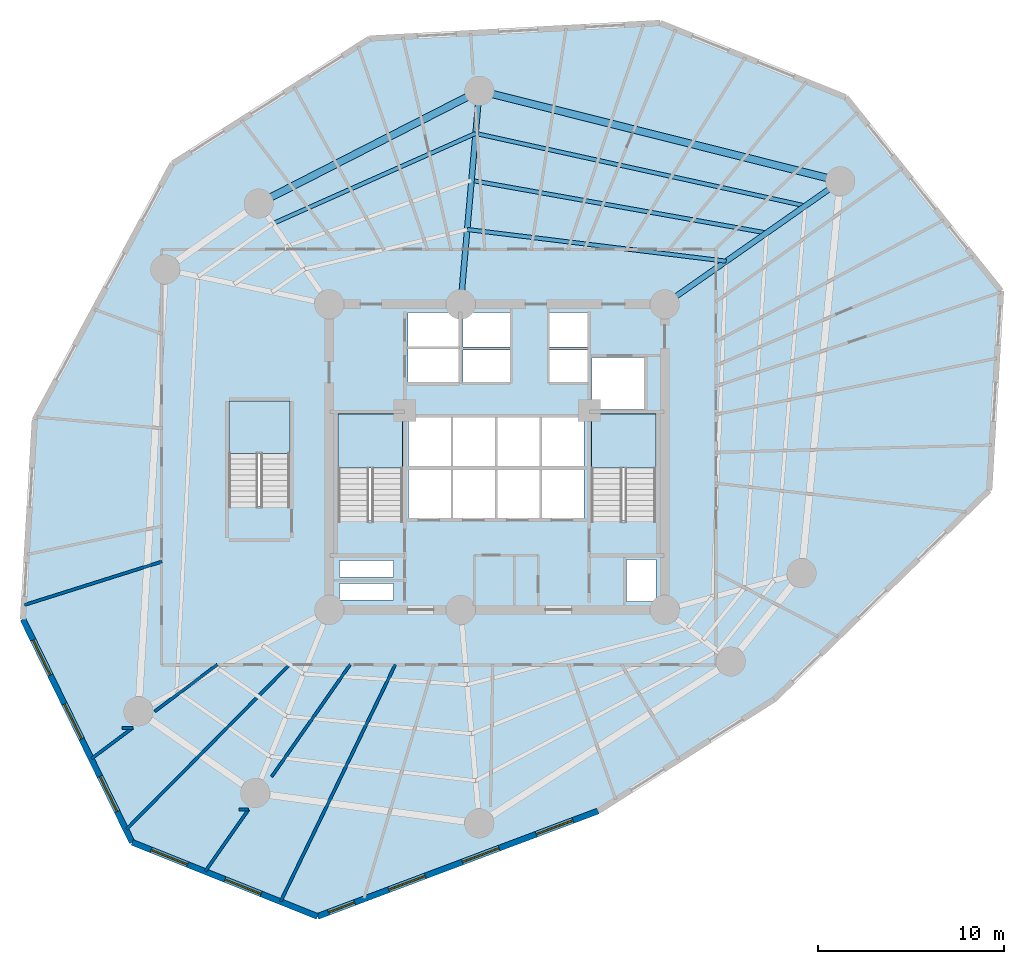
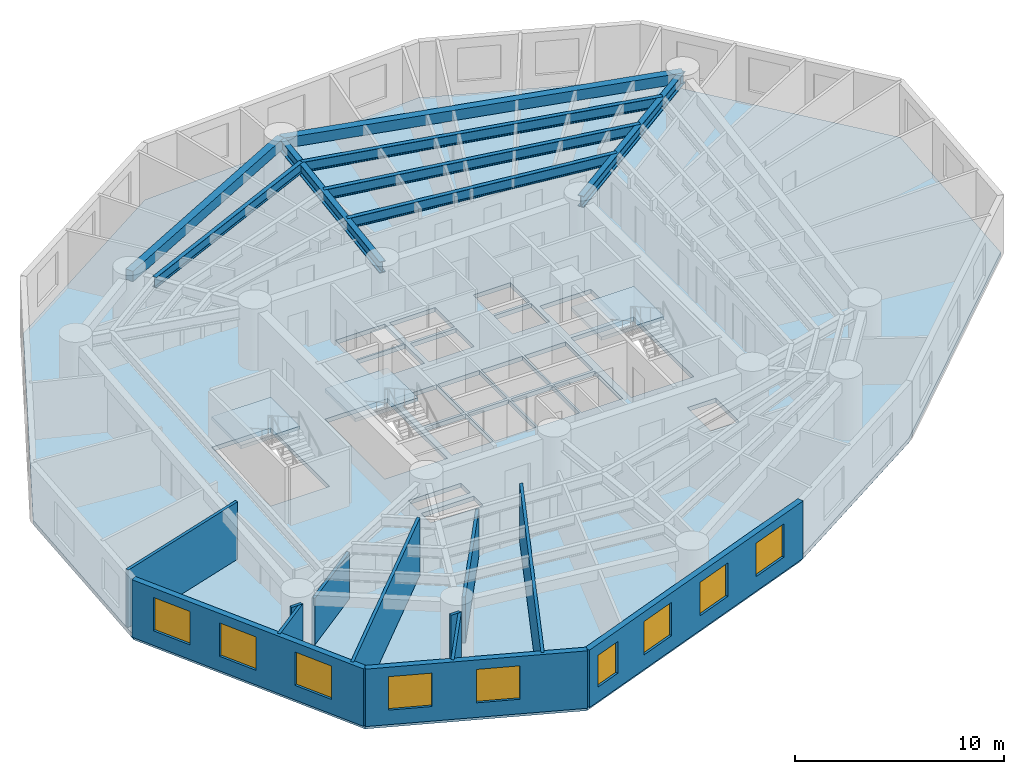
# One storey, part 2 of 8: 12 walls, 9 windows, 8 beams, 4 slabs, 9 openings, 3 elements without a shape of their own.
"""IFC4 building model written with IfcOpenShell, lengths in metres."""

from ifc_helpers import new_model, si_unit, direction, frame, frame_2d, origin, origin_with_axes, origin_2d, place, context, subcontext, project, spatial, polyline, rectangle, i_section, outline, extrude, source, transform, mapped, material, layer, layer_set, material_profile, profile_set, type_object, element, fill, aggregate, save


model = new_model("IFC4")

# Units and contexts
model_context = context("Model", 3, precision=1e-05, world=origin(), true_north=direction((0.0, 1.0)))
body_context = subcontext(model_context, "Body", "Model", "MODEL_VIEW")
ifc_project = project(units=[si_unit("LENGTHUNIT", "METRE"), si_unit("AREAUNIT", "SQUARE_METRE"), si_unit("VOLUMEUNIT", "CUBIC_METRE"), si_unit("PLANEANGLEUNIT", "RADIAN"), si_unit("MASSUNIT", "GRAM", prefix="KILO")], contexts=[model_context])

# Site, building, storey
site_placement = place(None, origin())
site = spatial("IfcSite", under=ifc_project, at=site_placement, CompositionType="ELEMENT")
building_placement = place(site_placement, origin())
building = spatial("IfcBuilding", under=site, at=building_placement, Name="Karkom Vertical University and Central Library", CompositionType="ELEMENT")
storey_placement = place(building_placement, frame((0.0, 0.0, 37.300048828125)))
storey = spatial("IfcBuildingStorey", under=building, at=storey_placement, Name="L09", CompositionType="ELEMENT", Elevation=37.300048828125)

# Beams
ifc_material_1 = material(Name="Steel S355", Category="steel")
ifc_material_profile_1 = material_profile(ifc_material_1, i_section(OverallWidth=0.300048828125, OverallDepth=0.64990234375, WebThickness=0.01611328125, FlangeThickness=0.031005859375, FilletRadius=0.027099609375, at=origin_2d()), Name="HE 650 B")
ifc_profile_set_1 = profile_set([ifc_material_profile_1], Name="Steel S355")
beam_type_1 = type_object("IfcBeamType", Name="STR-BM-SB-HE650", PredefinedType="USERDEFINED", material=ifc_profile_set_1)
shared_shape_1 = source(origin_with_axes(), body_context, "Body", "SweptSolid", [
    extrude(i_section(OverallWidth=0.300048828125, OverallDepth=0.64990234375, WebThickness=0.01611328125, FlangeThickness=0.031005859375, FilletRadius=0.027099609375, at=origin_2d()), origin(), (0.0, 0.0, 1.0), 11.49951171875),
])
beam_1_placement = place(storey_placement, frame((37.5, 34.699951171875, 3.02490234375), z_axis=(0.81915012564, 0.573579176457, 0.0), x_axis=(-0.573579176457, 0.81915012564, 0.0)))
element("IfcBeam", 1, at=beam_1_placement, inside=storey, type_object=beam_type_1, Name="Level 09 Radial Frame Girder 02", ObjectType="GIRDER", PredefinedType="USERDEFINED", context=body_context, shape_type="MappedRepresentation", body=[
    mapped(shared_shape_1, transform((0.0, 0.0, 0.0), scale=1.0)),
])
shared_shape_2 = source(origin_with_axes(), body_context, "Body", "SweptSolid", [
    extrude(i_section(OverallWidth=0.300048828125, OverallDepth=0.64990234375, WebThickness=0.01611328125, FlangeThickness=0.031005859375, FilletRadius=0.027099609375, at=origin_2d()), origin(), (0.0, 0.0, 1.0), 11.499755859375),
])
beam_2_placement = place(storey_placement, frame((26.550048828125, 34.699951171875, 3.02490234375), z_axis=(0.087127973109, 0.99619712723, 0.0), x_axis=(-0.99619712723, 0.087127973109, 0.0)))
element("IfcBeam", 2, at=beam_2_placement, inside=storey, type_object=beam_type_1, Name="Level 09 Radial Frame Girder 03", ObjectType="GIRDER", PredefinedType="USERDEFINED", context=body_context, shape_type="MappedRepresentation", body=[
    mapped(shared_shape_2, transform((0.0, 0.0, 0.0), scale=1.0)),
])
ifc_material_2 = material(Name="Precast concrete C45/55", Category="concrete")
ifc_material_profile_2 = material_profile(ifc_material_2, rectangle(XDim=0.39990234375, YDim=0.60009765625, at=origin_2d()), Name="SPB-400x600")
ifc_profile_set_2 = profile_set([ifc_material_profile_2], Name="Precast concrete C45/55")
beam_type_2 = type_object("IfcBeamType", Name="STR-BM-SP-1", PredefinedType="SPANDREL", material=ifc_profile_set_2)
shared_shape_3 = source(origin_with_axes(), body_context, "Body", "SweptSolid", [
    extrude(rectangle(XDim=0.39990234375, YDim=0.60009765625, at=origin_2d()), origin(), (0.0, 0.0, 1.0), 19.968505859375),
])
beam_3_placement = place(storey_placement, frame((46.919921875, 41.2958984375, 3.050048828125), z_axis=(-0.969928522391, 0.243389937039, 0.0), x_axis=(-0.243389937039, -0.969928522391, 0.0)))
element("IfcBeam", 3, at=beam_3_placement, inside=storey, type_object=beam_type_2, Name="Level 09 Perimeter Spandrel Beam 02", PredefinedType="SPANDREL", context=body_context, shape_type="MappedRepresentation", body=[
    mapped(shared_shape_3, transform((0.0, 0.0, 0.0), scale=1.0)),
])
shared_shape_4 = source(origin_with_axes(), body_context, "Body", "SweptSolid", [
    extrude(rectangle(XDim=0.39990234375, YDim=0.60009765625, at=origin_2d()), origin(), (0.0, 0.0, 1.0), 13.29443359375),
])
beam_4_placement = place(storey_placement, frame((27.552001953125, 46.156005859375, 3.050048828125), z_axis=(-0.890447746793, -0.455085497716, 0.0), x_axis=(0.455085497716, -0.890447746793, 0.0)))
element("IfcBeam", 4, at=beam_4_placement, inside=storey, type_object=beam_type_2, Name="Level 09 Perimeter Spandrel Beam 03", PredefinedType="SPANDREL", context=body_context, shape_type="MappedRepresentation", body=[
    mapped(shared_shape_4, transform((0.0, 0.0, 0.0), scale=1.0)),
])
ifc_material_profile_3 = material_profile(ifc_material_1, i_section(OverallWidth=0.219970703125, OverallDepth=0.60009765625, WebThickness=0.011962890625, FlangeThickness=0.01904296875, FilletRadius=0.02392578125, at=origin_2d()), Name="IPE 600")
ifc_profile_set_3 = profile_set([ifc_material_profile_3], Name="Steel S355")
beam_type_3 = type_object("IfcBeamType", Name="STR-BM-SB-IPE600", PredefinedType="BEAM", material=ifc_profile_set_3)
shared_shape_5 = source(origin_with_axes(), body_context, "Body", "SweptSolid", [
    extrude(i_section(OverallWidth=0.219970703125, OverallDepth=0.60009765625, WebThickness=0.011962890625, FlangeThickness=0.01904296875, FilletRadius=0.02392578125, at=origin_2d()), origin(), (0.0, 0.0, 1.0), 14.000244140625),
])
beam_5_placement = place(storey_placement, frame((40.797119140625, 37.008544921875, 3.050048828125), z_axis=(-0.992590166403, 0.121510335198, 0.0), x_axis=(-0.121510335198, -0.992590166403, 0.0)))
element("IfcBeam", 5, at=beam_5_placement, inside=storey, type_object=beam_type_3, Name="Level 09 Secondary Composite Floor Beam 1.02", PredefinedType="BEAM", context=body_context, shape_type="MappedRepresentation", body=[
    mapped(shared_shape_5, transform((0.0, 0.0, 0.0), scale=1.0)),
])
shared_shape_6 = source(origin_with_axes(), body_context, "Body", "SweptSolid", [
    extrude(i_section(OverallWidth=0.219970703125, OverallDepth=0.60009765625, WebThickness=0.011962890625, FlangeThickness=0.01904296875, FilletRadius=0.02392578125, at=origin_2d()), origin(), (0.0, 0.0, 1.0), 16.08154296875),
])
beam_6_placement = place(storey_placement, frame((42.963623046875, 38.525634765625, 3.050048828125), z_axis=(-0.984517708807, 0.175285142111, 0.0), x_axis=(-0.175285142111, -0.984517708807, 0.0)))
element("IfcBeam", 6, at=beam_6_placement, inside=storey, type_object=beam_type_3, Name="Level 09 Secondary Composite Floor Beam 2.02", PredefinedType="BEAM", context=body_context, shape_type="MappedRepresentation", body=[
    mapped(shared_shape_6, transform((0.0, 0.0, 0.0), scale=1.0)),
])
shared_shape_7 = source(origin_with_axes(), body_context, "Body", "SweptSolid", [
    extrude(i_section(OverallWidth=0.219970703125, OverallDepth=0.60009765625, WebThickness=0.011962890625, FlangeThickness=0.01904296875, FilletRadius=0.02392578125, at=origin_2d()), origin(), (0.0, 0.0, 1.0), 18.106689453125),
])
beam_7_placement = place(storey_placement, frame((45.035888671875, 39.976806640625, 3.050048828125), z_axis=(-0.976674731786, 0.214724167926, 0.0), x_axis=(-0.214724167926, -0.976674731786, 0.0)))
element("IfcBeam", 7, at=beam_7_placement, inside=storey, type_object=beam_type_3, Name="Level 09 Secondary Composite Floor Beam 3.02", PredefinedType="BEAM", context=body_context, shape_type="MappedRepresentation", body=[
    mapped(shared_shape_7, transform((0.0, 0.0, 0.0), scale=1.0)),
])
shared_shape_8 = source(origin_with_axes(), body_context, "Body", "SweptSolid", [
    extrude(i_section(OverallWidth=0.219970703125, OverallDepth=0.60009765625, WebThickness=0.011962890625, FlangeThickness=0.01904296875, FilletRadius=0.02392578125, at=origin_2d()), origin(), (0.0, 0.0, 1.0), 11.908203125),
])
beam_8_placement = place(storey_placement, frame((27.3515625, 43.86474609375, 3.050048828125), z_axis=(-0.913682996781, -0.406427584441, 0.0), x_axis=(0.406427584441, -0.913682996781, 0.0)))
element("IfcBeam", 8, at=beam_8_placement, inside=storey, type_object=beam_type_3, Name="Level 09 Secondary Composite Floor Beam 3.03", PredefinedType="BEAM", context=body_context, shape_type="MappedRepresentation", body=[
    mapped(shared_shape_8, transform((0.0, 0.0, 0.0), scale=1.0)),
])

# Stair, slab
ifc_material_3 = material(Name="Concrete C45/55", Category="concrete")
stair_type_1 = type_object("IfcStairType", Name="INT-STR-ST-MAIN", PredefinedType="HALF_TURN_STAIR", material=ifc_material_3)
stair_1_placement = place(storey_placement, origin())
stair_1 = element("IfcStair", 9, at=stair_1_placement, inside=storey, type_object=stair_type_1, Name="Level 09 Tower Protected Exit Stair ST-1", PredefinedType="HALF_TURN_STAIR")
ifc_layer_1 = layer(ifc_material_3, 0.199951171875)
ifc_layer_set_1 = layer_set([ifc_layer_1], Name="Concrete C45/55")
slab_type_1 = type_object("IfcSlabType", Name="INT-SLB-LANDING", PredefinedType="LANDING", material=ifc_layer_set_1)
slab_1_placement = place(storey_placement, frame((0.0, 0.0, 1.599853515625)))
slab_1 = element("IfcSlab", 10, at=slab_1_placement, type_object=slab_type_1, Name="ST-1 landing 1", PredefinedType="LANDING", context=body_context, shape_type="SweptSolid", body=[
    extrude(outline(polyline([(23.43994140625, 25.919921875), (23.43994140625, 28.820068359375), (19.97998046875, 28.820068359375), (19.97998046875, 25.919921875), (23.43994140625, 25.919921875)])), origin(), (0.0, 0.0, 1.0), 0.2001953125),
])
aggregate(stair_1, [slab_1])

stair_2_placement = place(storey_placement, origin())
stair_2 = element("IfcStair", 11, at=stair_2_placement, inside=storey, type_object=stair_type_1, Name="Level 09 Tower Protected Exit Stair ST-2", PredefinedType="HALF_TURN_STAIR")
slab_2_placement = place(storey_placement, frame((0.0, 0.0, 1.599853515625)))
slab_2 = element("IfcSlab", 12, at=slab_2_placement, type_object=slab_type_1, Name="ST-2 landing 1", PredefinedType="LANDING", context=body_context, shape_type="SweptSolid", body=[
    extrude(outline(polyline([(37.02001953125, 25.919921875), (37.02001953125, 28.820068359375), (33.56005859375, 28.820068359375), (33.56005859375, 25.919921875), (37.02001953125, 25.919921875)])), origin(), (0.0, 0.0, 1.0), 0.2001953125),
])
aggregate(stair_2, [slab_2])

stair_type_2 = type_object("IfcStairType", Name="INT-STR-ST-SEC", PredefinedType="HALF_TURN_STAIR", material=ifc_material_3)
stair_3_placement = place(storey_placement, origin())
stair_3 = element("IfcStair", 13, at=stair_3_placement, inside=storey, type_object=stair_type_2, Name="Level 09 Academic Zone Protected Exit Stair ST-3", PredefinedType="HALF_TURN_STAIR")
slab_3_placement = place(storey_placement, frame((0.0, 0.0, 1.599853515625)))
slab_3 = element("IfcSlab", 14, at=slab_3_placement, type_object=slab_type_1, Name="ST-3 landing 1", PredefinedType="LANDING", context=body_context, shape_type="SweptSolid", body=[
    extrude(outline(polyline([(17.3798828125, 26.699951171875), (17.3798828125, 29.5), (14.1201171875, 29.5), (14.1201171875, 26.699951171875), (17.3798828125, 26.699951171875)])), origin(), (0.0, 0.0, 1.0), 0.2001953125),
])
aggregate(stair_3, [slab_3])

# Slab
ifc_layer_2 = layer(ifc_material_3, 0.25)
ifc_layer_set_2 = layer_set([ifc_layer_2], Name="Concrete C45/55")
slab_type_2 = type_object("IfcSlabType", Name="STR-SLB-FLR-250", PredefinedType="FLOOR", material=ifc_layer_set_2)
slab_4_placement = place(storey_placement, frame((0.0, 0.0, -0.25)))
element("IfcSlab", 15, at=slab_4_placement, inside=storey, type_object=slab_type_2, Name="Level 09 Tower Structural Floor Slab", PredefinedType="FLOOR", context=body_context, shape_type="SweptSolid", body=[
    extrude(outline(polyline([(21.670166015625, 48.9541015625), (11.0908203125, 42.240234375), (3.703125, 28.506103515625), (3.06591796875, 17.793212890625), (8.9248046875, 5.826171875), (18.867919921875, 1.85009765625), (33.925048828125, 7.512451171875), (43.37060546875, 13.506591796875), (54.905029296875, 24.7197265625), (55.541015625, 35.409912109375), (47.20751953125, 45.806396484375), (37.242919921875, 49.791015625), (21.670166015625, 48.9541015625)]), holes=[polyline([(19.97998046875, 23.0849609375), (23.43994140625, 23.0849609375), (23.43994140625, 28.820068359375), (19.97998046875, 28.820068359375), (19.97998046875, 23.0849609375)]), polyline([(33.56005859375, 23.0849609375), (37.02001953125, 23.0849609375), (37.02001953125, 28.820068359375), (33.56005859375, 28.820068359375), (33.56005859375, 23.0849609375)]), polyline([(14.1201171875, 23.864990234375), (17.3798828125, 23.864990234375), (17.3798828125, 29.5), (14.1201171875, 29.5), (14.1201171875, 23.864990234375)]), polyline([(23.75, 23.199951171875), (26.030029296875, 23.199951171875), (26.030029296875, 25.85009765625), (23.75, 25.85009765625), (23.75, 23.199951171875)]), polyline([(26.1298828125, 23.199951171875), (28.409912109375, 23.199951171875), (28.409912109375, 25.85009765625), (26.1298828125, 25.85009765625), (26.1298828125, 23.199951171875)]), polyline([(28.510009765625, 23.199951171875), (30.7900390625, 23.199951171875), (30.7900390625, 25.85009765625), (28.510009765625, 25.85009765625), (28.510009765625, 23.199951171875)]), polyline([(30.889892578125, 23.199951171875), (33.169921875, 23.199951171875), (33.169921875, 25.85009765625), (30.889892578125, 25.85009765625), (30.889892578125, 23.199951171875)]), polyline([(23.75, 26.0), (26.030029296875, 26.0), (26.030029296875, 28.64990234375), (23.75, 28.64990234375), (23.75, 26.0)]), polyline([(26.1298828125, 26.0), (28.409912109375, 26.0), (28.409912109375, 28.64990234375), (26.1298828125, 28.64990234375), (26.1298828125, 26.0)]), polyline([(28.510009765625, 26.0), (30.7900390625, 26.0), (30.7900390625, 28.64990234375), (28.510009765625, 28.64990234375), (28.510009765625, 26.0)]), polyline([(30.889892578125, 26.0), (33.169921875, 26.0), (33.169921875, 28.64990234375), (30.889892578125, 28.64990234375), (30.889892578125, 26.0)]), polyline([(26.679931640625, 30.5), (29.199951171875, 30.5), (29.199951171875, 32.25), (26.679931640625, 32.25), (26.679931640625, 30.5)]), polyline([(26.679931640625, 32.39990234375), (29.199951171875, 32.39990234375), (29.199951171875, 34.25), (26.679931640625, 34.25), (26.679931640625, 32.39990234375)]), polyline([(31.300048828125, 30.5), (33.35009765625, 30.5), (33.35009765625, 32.25), (31.300048828125, 32.25), (31.300048828125, 30.5)]), polyline([(31.300048828125, 32.39990234375), (33.35009765625, 32.39990234375), (33.35009765625, 34.25), (31.300048828125, 34.25), (31.300048828125, 32.39990234375)]), polyline([(23.719970703125, 30.47998046875), (26.429931640625, 30.47998046875), (26.429931640625, 32.320068359375), (23.719970703125, 32.320068359375), (23.719970703125, 30.47998046875)]), polyline([(23.719970703125, 32.419921875), (26.429931640625, 32.419921875), (26.429931640625, 34.260009765625), (23.719970703125, 34.260009765625), (23.719970703125, 32.419921875)]), polyline([(33.60009765625, 29.050048828125), (36.39990234375, 29.050048828125), (36.39990234375, 31.85009765625), (33.60009765625, 31.85009765625), (33.60009765625, 29.050048828125)]), polyline([(20.050048828125, 18.820068359375), (22.949951171875, 18.820068359375), (22.949951171875, 19.719970703125), (20.050048828125, 19.719970703125), (20.050048828125, 18.820068359375)]), polyline([(20.050048828125, 20.06005859375), (22.949951171875, 20.06005859375), (22.949951171875, 20.9599609375), (20.050048828125, 20.9599609375), (20.050048828125, 20.06005859375)]), polyline([(35.4599609375, 18.760009765625), (37.0400390625, 18.760009765625), (37.0400390625, 21.010009765625), (35.4599609375, 21.010009765625), (35.4599609375, 18.760009765625)])]), origin(), (0.0, 0.0, 1.0), 0.25),
])

# Wall, openings, windows
ifc_material_4 = material(Name="Brick-faced precast concrete C45/55", Category="masonry")
ifc_layer_3 = layer(ifc_material_4, 0.320068359375)
ifc_layer_set_3 = layer_set([ifc_layer_3], Name="Brick-faced precast concrete C45/55")
wall_type_1 = type_object("IfcWallType", Name="ENV-WL-BRK-320", PredefinedType="SOLIDWALL", material=ifc_layer_set_3)
wall_1_placement = place(storey_placement, frame((3.06591796875, 17.793212890625, 0.0), z_axis=(0.0, 0.0, 1.0), x_axis=(0.439714839191, -0.89813743948, 0.0)))
wall_1 = element("IfcWall", 16, at=wall_1_placement, inside=storey, type_object=wall_type_1, Name="Level 09 Brick-Faced Precast Facade Wall 04", PredefinedType="SOLIDWALL", context=body_context, shape_type="SweptSolid", body=[
    extrude(rectangle(XDim=13.32421875, YDim=0.320068359375, at=frame_2d((6.662109375, 0.0))), origin(), (0.0, 0.0, 1.0), 3.349853515625),
])
opening_1_placement = place(wall_1_placement, frame((1.2353515625, 0.0, 0.85009765625)))
opening_1 = element("IfcOpeningElement", 17, at=opening_1_placement, cuts=wall_1, Name="Opening WN-03", PredefinedType="OPENING", context=body_context, shape_type="SweptSolid", body=[
    extrude(rectangle(XDim=2.10009765625, YDim=1.949951171875, at=frame_2d((1.050048828125, 0.97509765625))), frame((0.0, 0.169921875, 0.0), z_axis=(0.0, -1.0, 0.0), x_axis=(1.0, 0.0, 0.0)), (0.0, 0.0, 1.0), 0.340087890625),
])
opening_2_placement = place(wall_1_placement, frame((5.0458984375, 0.0, 0.85009765625)))
opening_2 = element("IfcOpeningElement", 18, at=opening_2_placement, cuts=wall_1, Name="Opening WN-03", PredefinedType="OPENING", context=body_context, shape_type="SweptSolid", body=[
    extrude(rectangle(XDim=2.10009765625, YDim=1.949951171875, at=frame_2d((1.050048828125, 0.97509765625))), frame((0.0, 0.169921875, 0.0), z_axis=(0.0, -1.0, 0.0), x_axis=(1.0, 0.0, 0.0)), (0.0, 0.0, 1.0), 0.340087890625),
])
opening_3_placement = place(wall_1_placement, frame((9.382568359375, 0.0, 0.85009765625)))
opening_3 = element("IfcOpeningElement", 19, at=opening_3_placement, cuts=wall_1, Name="Opening WN-03", PredefinedType="OPENING", context=body_context, shape_type="SweptSolid", body=[
    extrude(rectangle(XDim=2.10009765625, YDim=1.949951171875, at=frame_2d((1.050048828125, 0.97509765625))), frame((0.0, 0.169921875, 0.0), z_axis=(0.0, -1.0, 0.0), x_axis=(1.0, 0.0, 0.0)), (0.0, 0.0, 1.0), 0.340087890625),
])
ifc_material_5 = material(Name="Aluminium thermal-break frame with solar-control IGU", Category="aluminium")
window_type_1 = type_object("IfcWindowType", Name="ENV-WIN-WN-03", PartitioningType="SINGLE_PANEL", PredefinedType="WINDOW", material=ifc_material_5)
shared_shape_9 = source(origin_with_axes(), body_context, "Body", "SweptSolid", [
    extrude(rectangle(XDim=2.10009765625, YDim=1.949951171875, at=frame_2d((1.050048828125, 0.97509765625))), frame((0.0, 0.030029296875, 0.0), z_axis=(0.0, -1.0, 0.0), x_axis=(1.0, 0.0, 0.0)), (0.0, 0.0, 1.0), 0.06005859375),
])
window_1_placement = place(opening_1_placement, origin())
window_1 = element("IfcWindow", 20, at=window_1_placement, inside=storey, type_object=window_type_1, Name="Level 09 Punched Window 4.1", OverallHeight=1.949951171875, OverallWidth=2.10009765625, PartitioningType="SINGLE_PANEL", PredefinedType="WINDOW", context=body_context, shape_type="MappedRepresentation", body=[
    mapped(shared_shape_9, transform((0.0, 0.0, 0.0), scale=1.0)),
])
fill(opening_1, window_1)
window_2_placement = place(opening_2_placement, origin())
window_2 = element("IfcWindow", 21, at=window_2_placement, inside=storey, type_object=window_type_1, Name="Level 09 Punched Window 4.2", OverallHeight=1.949951171875, OverallWidth=2.10009765625, PartitioningType="SINGLE_PANEL", PredefinedType="WINDOW", context=body_context, shape_type="MappedRepresentation", body=[
    mapped(shared_shape_9, transform((0.0, 0.0, 0.0), scale=1.0)),
])
fill(opening_2, window_2)
window_3_placement = place(opening_3_placement, origin())
window_3 = element("IfcWindow", 22, at=window_3_placement, inside=storey, type_object=window_type_1, Name="Level 09 Punched Window 4.3", OverallHeight=1.949951171875, OverallWidth=2.10009765625, PartitioningType="SINGLE_PANEL", PredefinedType="WINDOW", context=body_context, shape_type="MappedRepresentation", body=[
    mapped(shared_shape_9, transform((0.0, 0.0, 0.0), scale=1.0)),
])
fill(opening_3, window_3)

wall_2_placement = place(storey_placement, frame((8.9248046875, 5.826171875, 0.0), z_axis=(0.0, 0.0, 1.0), x_axis=(0.928514421537, -0.371296335825, 0.0)))
wall_2 = element("IfcWall", 23, at=wall_2_placement, inside=storey, type_object=wall_type_1, Name="Level 09 Brick-Faced Precast Facade Wall 05", PredefinedType="SOLIDWALL", context=body_context, shape_type="SweptSolid", body=[
    extrude(rectangle(XDim=10.708740234375, YDim=0.320068359375, at=frame_2d((5.3544921875, 0.0))), origin(), (0.0, 0.0, 1.0), 3.349853515625),
])
opening_4_placement = place(wall_2_placement, frame((1.093994140625, 0.0, 0.85009765625)))
opening_4 = element("IfcOpeningElement", 24, at=opening_4_placement, cuts=wall_2, Name="Opening WN-03", PredefinedType="OPENING", context=body_context, shape_type="SweptSolid", body=[
    extrude(rectangle(XDim=2.10009765625, YDim=1.949951171875, at=frame_2d((1.050048828125, 0.97509765625))), frame((0.0, 0.169921875, 0.0), z_axis=(0.0, -1.0, 0.0), x_axis=(1.0, 0.0, 0.0)), (0.0, 0.0, 1.0), 0.340087890625),
])
opening_5_placement = place(wall_2_placement, frame((5.351806640625, 0.0, 0.85009765625)))
opening_5 = element("IfcOpeningElement", 25, at=opening_5_placement, cuts=wall_2, Name="Opening WN-03", PredefinedType="OPENING", context=body_context, shape_type="SweptSolid", body=[
    extrude(rectangle(XDim=2.10009765625, YDim=1.949951171875, at=frame_2d((1.050048828125, 0.97509765625))), frame((0.0, 0.169921875, 0.0), z_axis=(0.0, -1.0, 0.0), x_axis=(1.0, 0.0, 0.0)), (0.0, 0.0, 1.0), 0.340087890625),
])
window_4_placement = place(opening_4_placement, origin())
window_4 = element("IfcWindow", 26, at=window_4_placement, inside=storey, type_object=window_type_1, Name="Level 09 Punched Window 5.1", OverallHeight=1.949951171875, OverallWidth=2.10009765625, PartitioningType="SINGLE_PANEL", PredefinedType="WINDOW", context=body_context, shape_type="MappedRepresentation", body=[
    mapped(shared_shape_9, transform((0.0, 0.0, 0.0), scale=1.0)),
])
fill(opening_4, window_4)
window_5_placement = place(opening_5_placement, origin())
window_5 = element("IfcWindow", 27, at=window_5_placement, inside=storey, type_object=window_type_1, Name="Level 09 Punched Window 5.2", OverallHeight=1.949951171875, OverallWidth=2.10009765625, PartitioningType="SINGLE_PANEL", PredefinedType="WINDOW", context=body_context, shape_type="MappedRepresentation", body=[
    mapped(shared_shape_9, transform((0.0, 0.0, 0.0), scale=1.0)),
])
fill(opening_5, window_5)

wall_3_placement = place(storey_placement, frame((18.867919921875, 1.85009765625, 0.0), z_axis=(0.0, 0.0, 1.0), x_axis=(0.936003205265, 0.351991476792, 0.0)))
wall_3 = element("IfcWall", 28, at=wall_3_placement, inside=storey, type_object=wall_type_1, Name="Level 09 Brick-Faced Precast Facade Wall 06", PredefinedType="SOLIDWALL", context=body_context, shape_type="SweptSolid", body=[
    extrude(rectangle(XDim=16.086669921875, YDim=0.320068359375, at=frame_2d((8.04345703125, 0.0))), origin(), (0.0, 0.0, 1.0), 3.349853515625),
])
opening_6_placement = place(wall_3_placement, frame((0.629150390625, 0.0, 0.85009765625)))
opening_6 = element("IfcOpeningElement", 29, at=opening_6_placement, cuts=wall_3, Name="Opening WN-05", PredefinedType="OPENING", context=body_context, shape_type="SweptSolid", body=[
    extrude(rectangle(XDim=1.5, YDim=1.85009765625, at=frame_2d((0.75, 0.925048828125))), frame((0.0, 0.169921875, 0.0), z_axis=(0.0, -1.0, 0.0), x_axis=(1.0, 0.0, 0.0)), (0.0, 0.0, 1.0), 0.340087890625),
])
opening_7_placement = place(wall_3_placement, frame((4.0830078125, 0.0, 0.85009765625)))
opening_7 = element("IfcOpeningElement", 30, at=opening_7_placement, cuts=wall_3, Name="Opening WN-03", PredefinedType="OPENING", context=body_context, shape_type="SweptSolid", body=[
    extrude(rectangle(XDim=2.10009765625, YDim=1.949951171875, at=frame_2d((1.050048828125, 0.97509765625))), frame((0.0, 0.169921875, 0.0), z_axis=(0.0, -1.0, 0.0), x_axis=(1.0, 0.0, 0.0)), (0.0, 0.0, 1.0), 0.340087890625),
])
opening_8_placement = place(wall_3_placement, frame((8.3125, 0.0, 0.85009765625)))
opening_8 = element("IfcOpeningElement", 31, at=opening_8_placement, cuts=wall_3, Name="Opening WN-03", PredefinedType="OPENING", context=body_context, shape_type="SweptSolid", body=[
    extrude(rectangle(XDim=2.10009765625, YDim=1.949951171875, at=frame_2d((1.050048828125, 0.97509765625))), frame((0.0, 0.169921875, 0.0), z_axis=(0.0, -1.0, 0.0), x_axis=(1.0, 0.0, 0.0)), (0.0, 0.0, 1.0), 0.340087890625),
])
opening_9_placement = place(wall_3_placement, frame((12.5419921875, 0.0, 0.85009765625)))
opening_9 = element("IfcOpeningElement", 32, at=opening_9_placement, cuts=wall_3, Name="Opening WN-03", PredefinedType="OPENING", context=body_context, shape_type="SweptSolid", body=[
    extrude(rectangle(XDim=2.10009765625, YDim=1.949951171875, at=frame_2d((1.050048828125, 0.97509765625))), frame((0.0, 0.169921875, 0.0), z_axis=(0.0, -1.0, 0.0), x_axis=(1.0, 0.0, 0.0)), (0.0, 0.0, 1.0), 0.340087890625),
])
window_6_placement = place(opening_7_placement, origin())
window_6 = element("IfcWindow", 33, at=window_6_placement, inside=storey, type_object=window_type_1, Name="Level 09 Punched Window 6.2", OverallHeight=1.949951171875, OverallWidth=2.10009765625, PartitioningType="SINGLE_PANEL", PredefinedType="WINDOW", context=body_context, shape_type="MappedRepresentation", body=[
    mapped(shared_shape_9, transform((0.0, 0.0, 0.0), scale=1.0)),
])
fill(opening_7, window_6)
window_7_placement = place(opening_8_placement, origin())
window_7 = element("IfcWindow", 34, at=window_7_placement, inside=storey, type_object=window_type_1, Name="Level 09 Punched Window 6.3", OverallHeight=1.949951171875, OverallWidth=2.10009765625, PartitioningType="SINGLE_PANEL", PredefinedType="WINDOW", context=body_context, shape_type="MappedRepresentation", body=[
    mapped(shared_shape_9, transform((0.0, 0.0, 0.0), scale=1.0)),
])
fill(opening_8, window_7)
window_8_placement = place(opening_9_placement, origin())
window_8 = element("IfcWindow", 35, at=window_8_placement, inside=storey, type_object=window_type_1, Name="Level 09 Punched Window 6.4", OverallHeight=1.949951171875, OverallWidth=2.10009765625, PartitioningType="SINGLE_PANEL", PredefinedType="WINDOW", context=body_context, shape_type="MappedRepresentation", body=[
    mapped(shared_shape_9, transform((0.0, 0.0, 0.0), scale=1.0)),
])
fill(opening_9, window_8)
window_type_2 = type_object("IfcWindowType", Name="ENV-WIN-WN-05", PartitioningType="SINGLE_PANEL", PredefinedType="WINDOW", material=ifc_material_5)
shared_shape_10 = source(origin_with_axes(), body_context, "Body", "SweptSolid", [
    extrude(rectangle(XDim=1.5, YDim=1.85009765625, at=frame_2d((0.75, 0.925048828125))), frame((0.0, 0.030029296875, 0.0), z_axis=(0.0, -1.0, 0.0), x_axis=(1.0, 0.0, 0.0)), (0.0, 0.0, 1.0), 0.06005859375),
])
window_9_placement = place(opening_6_placement, origin())
window_9 = element("IfcWindow", 36, at=window_9_placement, inside=storey, type_object=window_type_2, Name="Level 09 Punched Window 6.1", OverallHeight=1.85009765625, OverallWidth=1.5, PartitioningType="SINGLE_PANEL", PredefinedType="WINDOW", context=body_context, shape_type="MappedRepresentation", body=[
    mapped(shared_shape_10, transform((0.0, 0.0, 0.0), scale=1.0)),
])
fill(opening_6, window_9)

# Walls
ifc_material_6 = material(Name="Insulated metal-stud drywall 160mm", Category="gypsum")
ifc_layer_4 = layer(ifc_material_6, 0.159912109375)
ifc_layer_set_4 = layer_set([ifc_layer_4], Name="Insulated metal-stud drywall 160mm")
wall_type_2 = type_object("IfcWallType", Name="INT-WL-COR-160", PredefinedType="PARTITIONING", material=ifc_layer_set_4)
wall_4_placement = place(storey_placement, frame((23.048095703125, 15.376953125, 0.0), z_axis=(0.0, 0.0, 1.0), x_axis=(-0.435780981153, -0.900052740936, 0.0)))
element("IfcWall", 37, at=wall_4_placement, inside=storey, type_object=wall_type_2, Name="Level 09 Interior Partition Wall Level 09-PW-011", PredefinedType="PARTITIONING", context=body_context, shape_type="SweptSolid", body=[
    extrude(rectangle(XDim=14.121826171875, YDim=0.159912109375, at=frame_2d((7.06103515625, 0.0))), origin(), (0.0, 0.0, 1.0), 3.349853515625),
])
wall_5_placement = place(storey_placement, frame((17.3798828125, 15.371337890625, 0.0), z_axis=(0.0, 0.0, 1.0), x_axis=(-0.70412026352, -0.710080738016, 0.0)))
element("IfcWall", 38, at=wall_5_placement, inside=storey, type_object=wall_type_2, Name="Level 09 Interior Partition Wall Level 09-PW-007", PredefinedType="PARTITIONING", context=body_context, shape_type="SweptSolid", body=[
    extrude(rectangle(XDim=12.451904296875, YDim=0.159912109375, at=frame_2d((6.22607421875, 0.0))), origin(), (0.0, 0.0, 1.0), 3.349853515625),
])
wall_6_placement = place(storey_placement, frame((10.528564453125, 20.89501953125, 0.0), z_axis=(0.0, 0.0, 1.0), x_axis=(-0.953695490404, -0.300773854553, 0.0)))
element("IfcWall", 39, at=wall_6_placement, inside=storey, type_object=wall_type_2, Name="Level 09 Interior Partition Wall Level 09-PW-003", PredefinedType="PARTITIONING", context=body_context, shape_type="SweptSolid", body=[
    extrude(rectangle(XDim=7.74609375, YDim=0.159912109375, at=frame_2d((3.873046875, 0.0))), origin(), (0.0, 0.0, 1.0), 3.349853515625),
])
wall_7_placement = place(storey_placement, frame((20.627685546875, 15.37451171875, 0.0), z_axis=(0.0, 0.0, 1.0), x_axis=(-0.574028069181, -0.818835621961, 0.0)))
element("IfcWall", 40, at=wall_7_placement, inside=storey, type_object=wall_type_2, Name="Level 09 Interior Partition Wall Level 09-PW-010", PredefinedType="PARTITIONING", context=body_context, shape_type="SweptSolid", body=[
    extrude(rectangle(XDim=7.35498046875, YDim=0.159912109375, at=frame_2d((3.677490234375, 0.0))), origin(), (0.0, 0.0, 1.0), 2.699951171875),
])
wall_8_placement = place(storey_placement, frame((13.500244140625, 15.367919921875, 0.0), z_axis=(0.0, 0.0, 1.0), x_axis=(-0.801087584636, -0.598547142456, 0.0)))
element("IfcWall", 41, at=wall_8_placement, inside=storey, type_object=wall_type_2, Name="Level 09 Interior Partition Wall Level 09-PW-004", PredefinedType="PARTITIONING", context=body_context, shape_type="SweptSolid", body=[
    extrude(rectangle(XDim=4.197265625, YDim=0.159912109375, at=frame_2d((2.0986328125, 0.0))), origin(), (0.0, 0.0, 1.0), 2.699951171875),
])
wall_9_placement = place(storey_placement, frame((15.172119140625, 7.592041015625, 0.0), z_axis=(0.0, 0.0, 1.0), x_axis=(-0.574030010663, -0.818834260921, 0.0)))
element("IfcWall", 42, at=wall_9_placement, inside=storey, type_object=wall_type_2, Name="Level 09 Interior Partition Wall Level 09-PW-009", PredefinedType="PARTITIONING", context=body_context, shape_type="SweptSolid", body=[
    extrude(rectangle(XDim=4.0400390625, YDim=0.159912109375, at=frame_2d((2.02001953125, 0.0))), origin(), (0.0, 0.0, 1.0), 3.349853515625),
])
wall_10_placement = place(storey_placement, frame((8.957763671875, 11.97412109375, 0.0), z_axis=(0.0, 0.0, 1.0), x_axis=(-0.80104108581, -0.59860937083, 0.0)))
element("IfcWall", 43, at=wall_10_placement, inside=storey, type_object=wall_type_2, Name="Level 09 Interior Partition Wall Level 09-PW-006", PredefinedType="PARTITIONING", context=body_context, shape_type="SweptSolid", body=[
    extrude(rectangle(XDim=2.754638671875, YDim=0.159912109375, at=frame_2d((1.37744140625, 0.0))), origin(), (0.0, 0.0, 1.0), 3.349853515625),
])
wall_11_placement = place(storey_placement, frame((8.3779296875, 11.97412109375, 0.0), z_axis=(0.0, 0.0, 1.0), x_axis=(1.0, 0.0, 0.0)))
element("IfcWall", 44, at=wall_11_placement, inside=storey, type_object=wall_type_2, Name="Level 09 Interior Partition Wall Level 09-PW-005", PredefinedType="PARTITIONING", context=body_context, shape_type="SweptSolid", body=[
    extrude(rectangle(XDim=0.579833984375, YDim=0.159912109375, at=frame_2d((0.2900390625, 0.0))), origin(), (0.0, 0.0, 1.0), 3.349853515625),
])
wall_12_placement = place(storey_placement, frame((14.64892578125, 7.592041015625, 0.0), z_axis=(0.0, 0.0, 1.0), x_axis=(1.0, 0.0, 0.0)))
element("IfcWall", 45, at=wall_12_placement, inside=storey, type_object=wall_type_2, Name="Level 09 Interior Partition Wall Level 09-PW-008", PredefinedType="PARTITIONING", context=body_context, shape_type="SweptSolid", body=[
    extrude(rectangle(XDim=0.523193359375, YDim=0.159912109375, at=frame_2d((0.26171875, 0.0))), origin(), (0.0, 0.0, 1.0), 3.349853515625),
])

save(model, "model.ifc")
